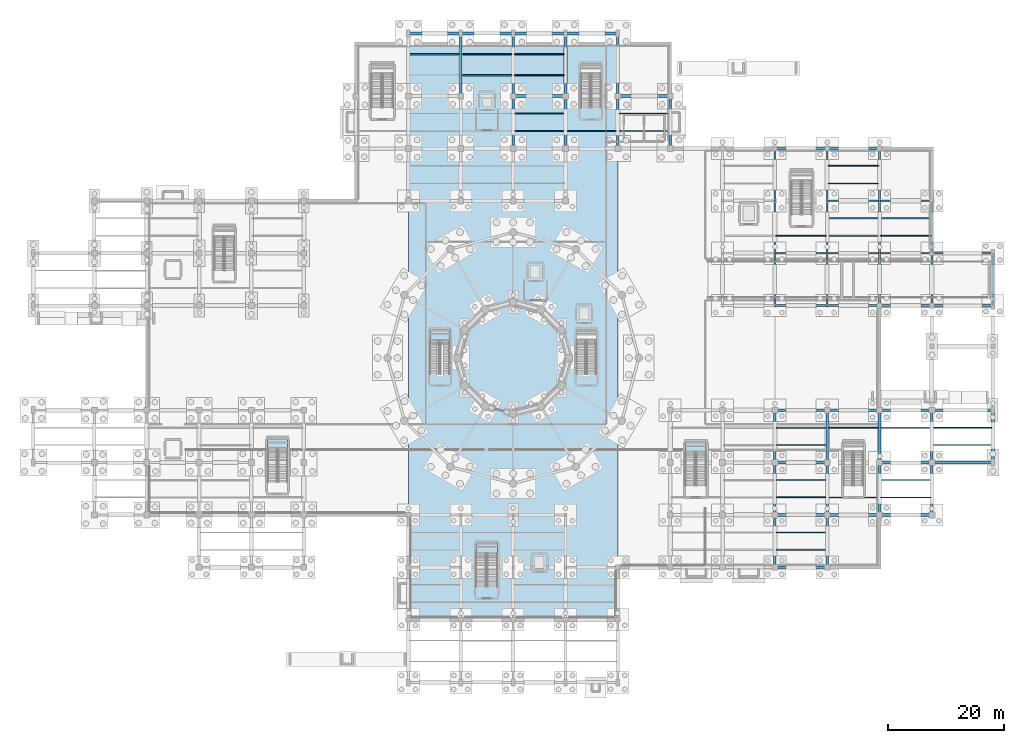
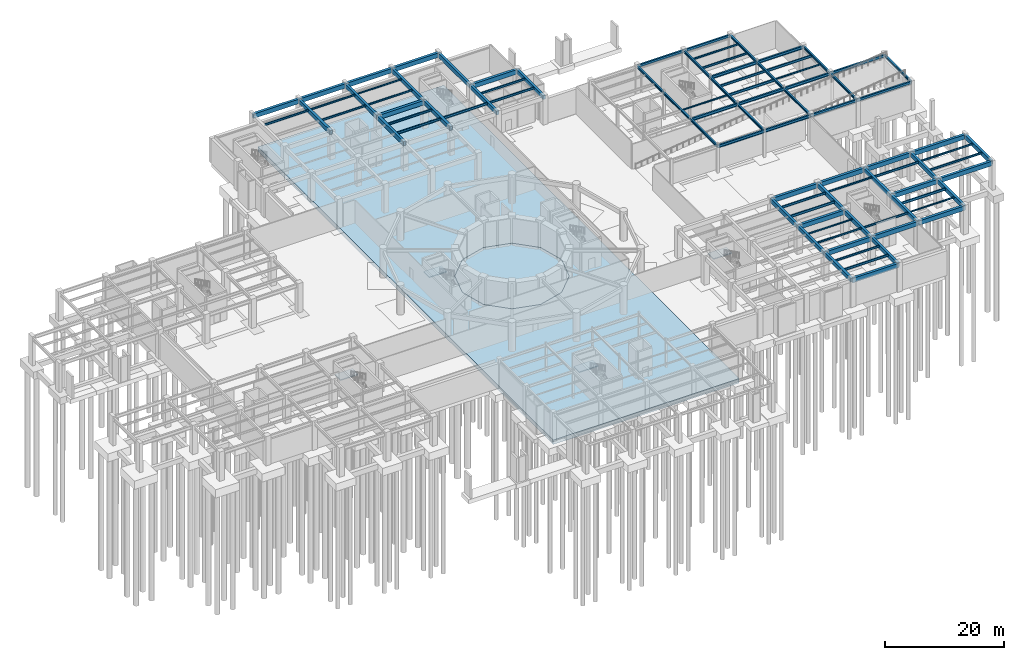
# One storey, part 15 of 36: 90 beams, 6 slabs, 4 elements without a shape of their own.
"""IFC4 building model written with IfcOpenShell, lengths in metres."""

from ifc_helpers import new_model, si_unit, direction, frame, origin, origin_2d, place, context, subcontext, project, spatial, polyline, rectangle, i_section, outline, extrude, material, layer, layer_set, material_profile, profile_set, type_object, element, aggregate, save


model = new_model("IFC4")

# Units and contexts
model_context = context("Model", 3, precision=1e-05, world=origin(), true_north=direction((0.0, 1.0)))
body_context = subcontext(model_context, "Body", "Model", "MODEL_VIEW")
ifc_project = project(units=[si_unit("LENGTHUNIT", "METRE"), si_unit("AREAUNIT", "SQUARE_METRE"), si_unit("VOLUMEUNIT", "CUBIC_METRE"), si_unit("PLANEANGLEUNIT", "RADIAN"), si_unit("MASSUNIT", "GRAM", prefix="KILO")], contexts=[model_context])

# Site, building, storey
site_placement = place(None, origin())
site = spatial("IfcSite", under=ifc_project, at=site_placement, CompositionType="ELEMENT")
building_placement = place(site_placement, origin())
building = spatial("IfcBuilding", under=site, at=building_placement, Name="Haizhuo Lancet Aquarium", CompositionType="ELEMENT")
storey_placement = place(building_placement, frame((0.0, 0.0, -6.0)))
storey = spatial("IfcBuildingStorey", under=building, at=storey_placement, Name="B1", CompositionType="ELEMENT", Elevation=-6.0)

# Beams
ifc_material_1 = material(Name="Concrete C40/50", Category="concrete")
ifc_material_profile_1 = material_profile(ifc_material_1, rectangle(XDim=0.449951171875, YDim=0.85009765625, at=origin_2d()), Name="RC-BM 450x850")
ifc_profile_set_1 = profile_set([ifc_material_profile_1], Name="Concrete C40/50")
beam_type_1 = type_object("IfcBeamType", Name="BM-RC-450x850", PredefinedType="BEAM", material=ifc_profile_set_1)
for number, where, z_axis, x_axis, name in (
    (1, (45.0, -36.0, 5.27490234375), (0.0, 1.0, 0.0), (-1.0, 0.0, 0.0), "B1 V3 primary girder BM-B1-V3-014"),
    (2, (45.0, -27.0, 5.27490234375), (0.0, 1.0, 0.0), (-1.0, 0.0, 0.0), "B1 V3 primary girder BM-B1-V3-016"),
    (3, (45.0, -18.0, 5.27490234375), (0.0, 1.0, 0.0), (-1.0, 0.0, 0.0), "B1 V3 primary girder BM-B1-V3-018"),
    (4, (54.0, -36.0, 5.27490234375), (0.0, 1.0, 0.0), (-1.0, 0.0, 0.0), "B1 V3 primary girder BM-B1-V3-021"),
    (5, (54.0, -27.0, 5.27490234375), (0.0, 1.0, 0.0), (-1.0, 0.0, 0.0), "B1 V3 primary girder BM-B1-V3-022"),
    (6, (54.0, -18.0, 5.27490234375), (0.0, 1.0, 0.0), (-1.0, 0.0, 0.0), "B1 V3 primary girder BM-B1-V3-024"),
    (7, (63.0, -27.0, 5.27490234375), (0.0, 1.0, 0.0), (-1.0, 0.0, 0.0), "B1 V3 primary girder BM-B1-V3-026"),
    (8, (63.0, -18.0, 5.27490234375), (0.0, 1.0, 0.0), (-1.0, 0.0, 0.0), "B1 V3 primary girder BM-B1-V3-028"),
    (9, (72.0, -27.0, 5.27490234375), (0.0, 1.0, 0.0), (-1.0, 0.0, 0.0), "B1 V3 primary girder BM-B1-V3-031"),
    (10, (72.0, -18.0, 5.27490234375), (0.0, 1.0, 0.0), (-1.0, 0.0, 0.0), "B1 V3 primary girder BM-B1-V3-032"),
    (11, (82.5, -18.0, 5.27490234375), (0.0, 1.0, 0.0), (-1.0, 0.0, 0.0), "B1 V3 primary girder BM-B1-V3-035"),
):
    element("IfcBeam", number, at=place(storey_placement, frame(where, z_axis=z_axis, x_axis=x_axis)), inside=storey, type_object=beam_type_1, Name=name, PredefinedType="BEAM", context=body_context, shape_type="SweptSolid", body=[
        extrude(rectangle(XDim=0.449951171875, YDim=0.85009765625, at=origin_2d()), origin(), (0.0, 0.0, 1.0), 9.0),
    ])
beam_1_placement = place(storey_placement, frame((-9.0, 45.0, 5.27490234375), z_axis=(0.0, 1.0, 0.0), x_axis=(-1.0, 0.0, 0.0)))
element("IfcBeam", 12, at=beam_1_placement, inside=storey, type_object=beam_type_1, Name="B1 V5 primary girder BM-B1-V5-014", PredefinedType="BEAM", context=body_context, shape_type="SweptSolid", body=[
    extrude(rectangle(XDim=0.449951171875, YDim=0.85009765625, at=origin_2d()), origin(), (0.0, 0.0, 1.0), 10.800048828125),
])
beam_2_placement = place(storey_placement, frame((0.0, 36.0, 5.27490234375), z_axis=(0.0, 1.0, 0.0), x_axis=(-1.0, 0.0, 0.0)))
element("IfcBeam", 13, at=beam_2_placement, inside=storey, type_object=beam_type_1, Name="B1 V5 primary girder BM-B1-V5-018", PredefinedType="BEAM", context=body_context, shape_type="SweptSolid", body=[
    extrude(rectangle(XDim=0.449951171875, YDim=0.85009765625, at=origin_2d()), origin(), (0.0, 0.0, 1.0), 9.0),
])
beam_3_placement = place(storey_placement, frame((0.0, 45.0, 5.27490234375), z_axis=(0.0, 1.0, 0.0), x_axis=(-1.0, 0.0, 0.0)))
element("IfcBeam", 14, at=beam_3_placement, inside=storey, type_object=beam_type_1, Name="B1 V5 primary girder BM-B1-V5-020", PredefinedType="BEAM", context=body_context, shape_type="SweptSolid", body=[
    extrude(rectangle(XDim=0.449951171875, YDim=0.85009765625, at=origin_2d()), origin(), (0.0, 0.0, 1.0), 10.800048828125),
])
beam_4_placement = place(storey_placement, frame((9.0, 36.0, 5.27490234375), z_axis=(0.0, 1.0, 0.0), x_axis=(-1.0, 0.0, 0.0)))
element("IfcBeam", 15, at=beam_4_placement, inside=storey, type_object=beam_type_1, Name="B1 V5 primary girder BM-B1-V5-024", PredefinedType="BEAM", context=body_context, shape_type="SweptSolid", body=[
    extrude(rectangle(XDim=0.449951171875, YDim=0.85009765625, at=origin_2d()), origin(), (0.0, 0.0, 1.0), 9.0),
])
beam_5_placement = place(storey_placement, frame((9.0, 45.0, 5.27490234375), z_axis=(0.0, 1.0, 0.0), x_axis=(-1.0, 0.0, 0.0)))
element("IfcBeam", 16, at=beam_5_placement, inside=storey, type_object=beam_type_1, Name="B1 V5 primary girder BM-B1-V5-026", PredefinedType="BEAM", context=body_context, shape_type="SweptSolid", body=[
    extrude(rectangle(XDim=0.449951171875, YDim=0.85009765625, at=origin_2d()), origin(), (0.0, 0.0, 1.0), 10.800048828125),
])
beam_6_placement = place(storey_placement, frame((18.0, 36.0, 5.27490234375), z_axis=(0.0, 1.0, 0.0), x_axis=(-1.0, 0.0, 0.0)))
element("IfcBeam", 17, at=beam_6_placement, inside=storey, type_object=beam_type_1, Name="B1 V5 primary girder BM-B1-V5-028", PredefinedType="BEAM", context=body_context, shape_type="SweptSolid", body=[
    extrude(rectangle(XDim=0.449951171875, YDim=0.85009765625, at=origin_2d()), origin(), (0.0, 0.0, 1.0), 9.0),
])
beam_7_placement = place(storey_placement, frame((18.0, 45.0, 5.27490234375), z_axis=(0.0, 1.0, 0.0), x_axis=(-1.0, 0.0, 0.0)))
element("IfcBeam", 18, at=beam_7_placement, inside=storey, type_object=beam_type_1, Name="B1 V5 primary girder BM-B1-V5-030", PredefinedType="BEAM", context=body_context, shape_type="SweptSolid", body=[
    extrude(rectangle(XDim=0.449951171875, YDim=0.85009765625, at=origin_2d()), origin(), (0.0, 0.0, 1.0), 10.800048828125),
])
beam_8_placement = place(storey_placement, frame((27.0, 36.0, 5.27490234375), z_axis=(0.0, 1.0, 0.0), x_axis=(-1.0, 0.0, 0.0)))
element("IfcBeam", 19, at=beam_8_placement, inside=storey, type_object=beam_type_1, Name="B1 V5 primary girder BM-B1-V5-032", PredefinedType="BEAM", context=body_context, shape_type="SweptSolid", body=[
    extrude(rectangle(XDim=0.449951171875, YDim=0.85009765625, at=origin_2d()), origin(), (0.0, 0.0, 1.0), 9.0),
])
ifc_material_profile_2 = material_profile(ifc_material_1, rectangle(XDim=0.5, YDim=0.89990234375, at=origin_2d()), Name="RC-BM 500x900")
ifc_profile_set_2 = profile_set([ifc_material_profile_2], Name="Concrete C40/50")
beam_type_2 = type_object("IfcBeamType", Name="BM-RC-500x900", PredefinedType="BEAM", material=ifc_profile_set_2)
for number, where, z_axis, x_axis, name in (
    (20, (45.0, -36.0, 5.25), (1.0, 0.0, 0.0), (0.0, 1.0, 0.0), "B1 V3 primary girder BM-B1-V3-015"),
    (21, (45.0, -27.0, 5.25), (1.0, 0.0, 0.0), (0.0, 1.0, 0.0), "B1 V3 primary girder BM-B1-V3-017"),
    (22, (45.0, -18.0, 5.25), (1.0, 0.0, 0.0), (0.0, 1.0, 0.0), "B1 V3 primary girder BM-B1-V3-019"),
    (23, (45.0, -9.0, 5.25), (1.0, 0.0, 0.0), (0.0, 1.0, 0.0), "B1 V3 primary girder BM-B1-V3-020"),
    (24, (54.0, -27.0, 5.25), (1.0, 0.0, 0.0), (0.0, 1.0, 0.0), "B1 V3 primary girder BM-B1-V3-023"),
    (25, (54.0, -9.0, 5.25), (1.0, 0.0, 0.0), (0.0, 1.0, 0.0), "B1 V3 primary girder BM-B1-V3-025"),
    (26, (63.0, -27.0, 5.25), (1.0, 0.0, 0.0), (0.0, 1.0, 0.0), "B1 V3 primary girder BM-B1-V3-027"),
    (27, (63.0, -18.0, 5.25), (1.0, 0.0, 0.0), (0.0, 1.0, 0.0), "B1 V3 primary girder BM-B1-V3-029"),
    (28, (63.0, -9.0, 5.25), (1.0, 0.0, 0.0), (0.0, 1.0, 0.0), "B1 V3 primary girder BM-B1-V3-030"),
):
    element("IfcBeam", number, at=place(storey_placement, frame(where, z_axis=z_axis, x_axis=x_axis)), inside=storey, type_object=beam_type_2, Name=name, PredefinedType="BEAM", context=body_context, shape_type="SweptSolid", body=[
        extrude(rectangle(XDim=0.5, YDim=0.89990234375, at=origin_2d()), origin(), (0.0, 0.0, 1.0), 9.0),
    ])
for number, where, z_axis, x_axis, name in (
    (29, (72.0, -18.0, 5.25), (1.0, 0.0, 0.0), (0.0, 1.0, 0.0), "B1 V3 primary girder BM-B1-V3-033"),
    (30, (72.0, -9.0, 5.25), (1.0, 0.0, 0.0), (0.0, 1.0, 0.0), "B1 V3 primary girder BM-B1-V3-034"),
):
    element("IfcBeam", number, at=place(storey_placement, frame(where, z_axis=z_axis, x_axis=x_axis)), inside=storey, type_object=beam_type_2, Name=name, PredefinedType="BEAM", context=body_context, shape_type="SweptSolid", body=[
        extrude(rectangle(XDim=0.5, YDim=0.89990234375, at=origin_2d()), origin(), (0.0, 0.0, 1.0), 10.5),
    ])
for number, where, z_axis, x_axis, name in (
    (31, (-18.0, 55.800048828125, 5.25), (1.0, 0.0, 0.0), (0.0, 1.0, 0.0), "B1 V5 primary girder BM-B1-V5-009"),
    (32, (-9.0, 55.800048828125, 5.25), (1.0, 0.0, 0.0), (0.0, 1.0, 0.0), "B1 V5 primary girder BM-B1-V5-015"),
    (33, (0.0, 45.0, 5.25), (1.0, 0.0, 0.0), (0.0, 1.0, 0.0), "B1 V5 primary girder BM-B1-V5-021"),
    (34, (0.0, 55.800048828125, 5.25), (1.0, 0.0, 0.0), (0.0, 1.0, 0.0), "B1 V5 primary girder BM-B1-V5-022"),
    (35, (9.0, 55.800048828125, 5.25), (1.0, 0.0, 0.0), (0.0, 1.0, 0.0), "B1 V5 primary girder BM-B1-V5-027"),
    (36, (18.0, 45.0, 5.25), (1.0, 0.0, 0.0), (0.0, 1.0, 0.0), "B1 V5 primary girder BM-B1-V5-031"),
):
    element("IfcBeam", number, at=place(storey_placement, frame(where, z_axis=z_axis, x_axis=x_axis)), inside=storey, type_object=beam_type_2, Name=name, PredefinedType="BEAM", context=body_context, shape_type="SweptSolid", body=[
        extrude(rectangle(XDim=0.5, YDim=0.89990234375, at=origin_2d()), origin(), (0.0, 0.0, 1.0), 9.0),
    ])
ifc_material_2 = material(Name="Steel S355", Category="steel")
ifc_material_profile_3 = material_profile(ifc_material_2, i_section(OverallWidth=0.300048828125, OverallDepth=0.488037109375, WebThickness=0.010986328125, FlangeThickness=0.01806640625, FilletRadius=0.02392578125, at=origin_2d()), Name="HM 488x300x11x18")
ifc_profile_set_3 = profile_set([ifc_material_profile_3], Name="Steel S355")
beam_type_3 = type_object("IfcBeamType", Name="BM-ST-HM488", PredefinedType="BEAM", material=ifc_profile_set_3)
for number, where, z_axis, x_axis, name in (
    (37, (45.0, 9.0, 5.35595703125), (0.0, 1.0, 0.0), (-1.0, 0.0, 0.0), "B1 V7 primary girder BM-B1-V7-008"),
    (38, (45.0, 18.0, 5.35595703125), (0.0, 1.0, 0.0), (-1.0, 0.0, 0.0), "B1 V7 primary girder BM-B1-V7-010"),
    (39, (45.0, 27.0, 5.35595703125), (0.0, 1.0, 0.0), (-1.0, 0.0, 0.0), "B1 V7 primary girder BM-B1-V7-012"),
    (40, (54.0, 9.0, 5.35595703125), (0.0, 1.0, 0.0), (-1.0, 0.0, 0.0), "B1 V7 primary girder BM-B1-V7-014"),
    (41, (54.0, 18.0, 5.35595703125), (0.0, 1.0, 0.0), (-1.0, 0.0, 0.0), "B1 V7 primary girder BM-B1-V7-016"),
    (42, (54.0, 27.0, 5.35595703125), (0.0, 1.0, 0.0), (-1.0, 0.0, 0.0), "B1 V7 primary girder BM-B1-V7-018"),
    (43, (63.0, 9.0, 5.35595703125), (0.0, 1.0, 0.0), (-1.0, 0.0, 0.0), "B1 V7 primary girder BM-B1-V7-021"),
    (44, (63.0, 18.0, 5.35595703125), (0.0, 1.0, 0.0), (-1.0, 0.0, 0.0), "B1 V7 primary girder BM-B1-V7-023"),
    (45, (63.0, 27.0, 5.35595703125), (0.0, 1.0, 0.0), (-1.0, 0.0, 0.0), "B1 V7 primary girder BM-B1-V7-025"),
    (46, (72.0, 9.0, 5.35595703125), (0.0, 1.0, 0.0), (-1.0, 0.0, 0.0), "B1 V7 primary girder BM-B1-V7-027"),
    (47, (72.0, 18.0, 5.35595703125), (0.0, 1.0, 0.0), (-1.0, 0.0, 0.0), "B1 V7 primary girder BM-B1-V7-029"),
    (48, (82.5, 9.0, 5.35595703125), (0.0, 1.0, 0.0), (-1.0, 0.0, 0.0), "B1 V7 primary girder BM-B1-V7-031"),
):
    element("IfcBeam", number, at=place(storey_placement, frame(where, z_axis=z_axis, x_axis=x_axis)), inside=storey, type_object=beam_type_3, Name=name, PredefinedType="BEAM", context=body_context, shape_type="SweptSolid", body=[
        extrude(i_section(OverallWidth=0.300048828125, OverallDepth=0.488037109375, WebThickness=0.010986328125, FlangeThickness=0.01806640625, FilletRadius=0.02392578125, at=origin_2d()), origin(), (0.0, 0.0, 1.0), 9.0),
    ])
ifc_material_profile_4 = material_profile(ifc_material_2, i_section(OverallWidth=0.300048828125, OverallDepth=0.587890625, WebThickness=0.011962890625, FlangeThickness=0.02001953125, FilletRadius=0.02587890625, at=origin_2d()), Name="HM 588x300x12x20")
ifc_profile_set_4 = profile_set([ifc_material_profile_4], Name="Steel S355")
beam_type_4 = type_object("IfcBeamType", Name="BM-ST-HM588", PredefinedType="BEAM", material=ifc_profile_set_4)
for number, where, z_axis, x_axis, name in (
    (49, (45.0, 9.0, 5.305908203125), (1.0, 0.0, 0.0), (0.0, 1.0, 0.0), "B1 V7 primary girder BM-B1-V7-009"),
    (50, (45.0, 18.0, 5.305908203125), (1.0, 0.0, 0.0), (0.0, 1.0, 0.0), "B1 V7 primary girder BM-B1-V7-011"),
    (51, (45.0, 36.0, 5.305908203125), (1.0, 0.0, 0.0), (0.0, 1.0, 0.0), "B1 V7 primary girder BM-B1-V7-013"),
    (52, (54.0, 9.0, 5.305908203125), (1.0, 0.0, 0.0), (0.0, 1.0, 0.0), "B1 V7 primary girder BM-B1-V7-015"),
    (53, (54.0, 18.0, 5.305908203125), (1.0, 0.0, 0.0), (0.0, 1.0, 0.0), "B1 V7 primary girder BM-B1-V7-017"),
    (54, (54.0, 27.0, 5.305908203125), (1.0, 0.0, 0.0), (0.0, 1.0, 0.0), "B1 V7 primary girder BM-B1-V7-019"),
    (55, (54.0, 36.0, 5.305908203125), (1.0, 0.0, 0.0), (0.0, 1.0, 0.0), "B1 V7 primary girder BM-B1-V7-020"),
    (56, (63.0, 9.0, 5.305908203125), (1.0, 0.0, 0.0), (0.0, 1.0, 0.0), "B1 V7 primary girder BM-B1-V7-022"),
    (57, (63.0, 18.0, 5.305908203125), (1.0, 0.0, 0.0), (0.0, 1.0, 0.0), "B1 V7 primary girder BM-B1-V7-024"),
    (58, (63.0, 27.0, 5.305908203125), (1.0, 0.0, 0.0), (0.0, 1.0, 0.0), "B1 V7 primary girder BM-B1-V7-026"),
):
    element("IfcBeam", number, at=place(storey_placement, frame(where, z_axis=z_axis, x_axis=x_axis)), inside=storey, type_object=beam_type_4, Name=name, PredefinedType="BEAM", context=body_context, shape_type="SweptSolid", body=[
        extrude(i_section(OverallWidth=0.300048828125, OverallDepth=0.587890625, WebThickness=0.011962890625, FlangeThickness=0.02001953125, FilletRadius=0.02587890625, at=origin_2d()), origin(), (0.0, 0.0, 1.0), 9.0),
    ])
for number, where, z_axis, x_axis, name in (
    (59, (72.0, 9.0, 5.305908203125), (1.0, 0.0, 0.0), (0.0, 1.0, 0.0), "B1 V7 primary girder BM-B1-V7-028"),
    (60, (72.0, 18.0, 5.305908203125), (1.0, 0.0, 0.0), (0.0, 1.0, 0.0), "B1 V7 primary girder BM-B1-V7-030"),
):
    element("IfcBeam", number, at=place(storey_placement, frame(where, z_axis=z_axis, x_axis=x_axis)), inside=storey, type_object=beam_type_4, Name=name, PredefinedType="BEAM", context=body_context, shape_type="SweptSolid", body=[
        extrude(i_section(OverallWidth=0.300048828125, OverallDepth=0.587890625, WebThickness=0.011962890625, FlangeThickness=0.02001953125, FilletRadius=0.02587890625, at=origin_2d()), origin(), (0.0, 0.0, 1.0), 10.5),
    ])
ifc_material_profile_5 = material_profile(ifc_material_2, i_section(OverallWidth=0.14990234375, OverallDepth=0.300048828125, WebThickness=0.006591796875, FlangeThickness=0.009033203125, FilletRadius=0.012939453125, at=origin_2d()), Name="HN 300x150x6.5x9")
ifc_profile_set_5 = profile_set([ifc_material_profile_5], Name="Steel S355")
beam_type_5 = type_object("IfcBeamType", Name="JST-ST-HN300", PredefinedType="JOIST", material=ifc_profile_set_5)
for number, where, z_axis, x_axis, name in (
    (61, (45.22509765625, -21.0, 5.550048828125), (1.0, 0.0, 0.0), (0.0, 1.0, 0.0), "B1 V3 secondary floor joist 14"),
    (62, (63.22509765625, -24.0, 5.550048828125), (1.0, 0.0, 0.0), (0.0, 1.0, 0.0), "B1 V3 secondary floor joist 19"),
    (63, (0.22509765625, 52.199951171875, 5.550048828125), (1.0, 0.0, 0.0), (0.0, 1.0, 0.0), "B1 V5 secondary floor joist 19"),
):
    element("IfcBeam", number, at=place(storey_placement, frame(where, z_axis=z_axis, x_axis=x_axis)), inside=storey, type_object=beam_type_5, Name=name, PredefinedType="JOIST", context=body_context, shape_type="SweptSolid", body=[
        extrude(i_section(OverallWidth=0.14990234375, OverallDepth=0.300048828125, WebThickness=0.006591796875, FlangeThickness=0.009033203125, FilletRadius=0.012939453125, at=origin_2d()), origin(), (0.0, 0.0, 1.0), 8.5498046875),
    ])
for number, where, z_axis, x_axis, name in (
    (64, (45.14990234375, 21.0, 5.449951171875), (1.0, 0.0, 0.0), (0.0, 1.0, 0.0), "B1 V7 secondary floor joist 4"),
    (65, (63.14990234375, 21.0, 5.449951171875), (1.0, 0.0, 0.0), (0.0, 1.0, 0.0), "B1 V7 secondary floor joist 9"),
):
    element("IfcBeam", number, at=place(storey_placement, frame(where, z_axis=z_axis, x_axis=x_axis)), inside=storey, type_object=beam_type_5, Name=name, PredefinedType="JOIST", context=body_context, shape_type="SweptSolid", body=[
        extrude(i_section(OverallWidth=0.14990234375, OverallDepth=0.300048828125, WebThickness=0.006591796875, FlangeThickness=0.009033203125, FilletRadius=0.012939453125, at=origin_2d()), origin(), (0.0, 0.0, 1.0), 8.7001953125),
    ])
ifc_material_profile_6 = material_profile(ifc_material_2, i_section(OverallWidth=0.175048828125, OverallDepth=0.35009765625, WebThickness=0.007080078125, FlangeThickness=0.010986328125, FilletRadius=0.013916015625, at=origin_2d()), Name="HN 350x175x7x11")
ifc_profile_set_6 = profile_set([ifc_material_profile_6], Name="Steel S355")
beam_type_6 = type_object("IfcBeamType", Name="JST-ST-HN350", PredefinedType="JOIST", material=ifc_profile_set_6)
for number, where, z_axis, x_axis, name in (
    (66, (45.22509765625, -24.0, 5.52490234375), (1.0, 0.0, 0.0), (0.0, 1.0, 0.0), "B1 V3 secondary floor joist 13"),
    (67, (54.22509765625, -12.0, 5.52490234375), (1.0, 0.0, 0.0), (0.0, 1.0, 0.0), "B1 V3 secondary floor joist 18"),
):
    element("IfcBeam", number, at=place(storey_placement, frame(where, z_axis=z_axis, x_axis=x_axis)), inside=storey, type_object=beam_type_6, Name=name, PredefinedType="JOIST", context=body_context, shape_type="SweptSolid", body=[
        extrude(i_section(OverallWidth=0.175048828125, OverallDepth=0.35009765625, WebThickness=0.007080078125, FlangeThickness=0.010986328125, FilletRadius=0.013916015625, at=origin_2d()), origin(), (0.0, 0.0, 1.0), 8.5498046875),
    ])
beam_9_placement = place(storey_placement, frame((72.22509765625, -12.0, 5.52490234375), z_axis=(1.0, 0.0, 0.0), x_axis=(0.0, 1.0, 0.0)))
element("IfcBeam", 68, at=beam_9_placement, inside=storey, type_object=beam_type_6, Name="B1 V3 secondary floor joist 23", PredefinedType="JOIST", context=body_context, shape_type="SweptSolid", body=[
    extrude(i_section(OverallWidth=0.175048828125, OverallDepth=0.35009765625, WebThickness=0.007080078125, FlangeThickness=0.010986328125, FilletRadius=0.013916015625, at=origin_2d()), origin(), (0.0, 0.0, 1.0), 10.0498046875),
])
for number, where, z_axis, x_axis, name in (
    (69, (-8.77490234375, 52.199951171875, 5.52490234375), (1.0, 0.0, 0.0), (0.0, 1.0, 0.0), "B1 V5 secondary floor joist 13"),
    (70, (0.22509765625, 48.60009765625, 5.52490234375), (1.0, 0.0, 0.0), (0.0, 1.0, 0.0), "B1 V5 secondary floor joist 18"),
):
    element("IfcBeam", number, at=place(storey_placement, frame(where, z_axis=z_axis, x_axis=x_axis)), inside=storey, type_object=beam_type_6, Name=name, PredefinedType="JOIST", context=body_context, shape_type="SweptSolid", body=[
        extrude(i_section(OverallWidth=0.175048828125, OverallDepth=0.35009765625, WebThickness=0.007080078125, FlangeThickness=0.010986328125, FilletRadius=0.013916015625, at=origin_2d()), origin(), (0.0, 0.0, 1.0), 8.5498046875),
    ])
beam_10_placement = place(storey_placement, frame((54.14990234375, 33.0, 5.425048828125), z_axis=(1.0, 0.0, 0.0), x_axis=(0.0, 1.0, 0.0)))
element("IfcBeam", 71, at=beam_10_placement, inside=storey, type_object=beam_type_6, Name="B1 V7 secondary floor joist 8", PredefinedType="JOIST", context=body_context, shape_type="SweptSolid", body=[
    extrude(i_section(OverallWidth=0.175048828125, OverallDepth=0.35009765625, WebThickness=0.007080078125, FlangeThickness=0.010986328125, FilletRadius=0.013916015625, at=origin_2d()), origin(), (0.0, 0.0, 1.0), 8.7001953125),
])
ifc_material_profile_7 = material_profile(ifc_material_2, i_section(OverallWidth=0.199951171875, OverallDepth=0.39990234375, WebThickness=0.008056640625, FlangeThickness=0.012939453125, FilletRadius=0.01611328125, at=origin_2d()), Name="HN 400x200x8x13")
ifc_profile_set_7 = profile_set([ifc_material_profile_7], Name="Steel S355")
beam_type_7 = type_object("IfcBeamType", Name="JST-ST-HN400", PredefinedType="JOIST", material=ifc_profile_set_7)
for number, where, z_axis, x_axis, name in (
    (72, (45.22509765625, -30.0, 5.5), (1.0, 0.0, 0.0), (0.0, 1.0, 0.0), "B1 V3 secondary floor joist 12"),
    (73, (54.22509765625, -24.0, 5.5), (1.0, 0.0, 0.0), (0.0, 1.0, 0.0), "B1 V3 secondary floor joist 17"),
):
    element("IfcBeam", number, at=place(storey_placement, frame(where, z_axis=z_axis, x_axis=x_axis)), inside=storey, type_object=beam_type_7, Name=name, PredefinedType="JOIST", context=body_context, shape_type="SweptSolid", body=[
        extrude(i_section(OverallWidth=0.199951171875, OverallDepth=0.39990234375, WebThickness=0.008056640625, FlangeThickness=0.012939453125, FilletRadius=0.01611328125, at=origin_2d()), origin(), (0.0, 0.0, 1.0), 8.5498046875),
    ])
beam_11_placement = place(storey_placement, frame((72.22509765625, -15.0, 5.5), z_axis=(1.0, 0.0, 0.0), x_axis=(0.0, 1.0, 0.0)))
element("IfcBeam", 74, at=beam_11_placement, inside=storey, type_object=beam_type_7, Name="B1 V3 secondary floor joist 22", PredefinedType="JOIST", context=body_context, shape_type="SweptSolid", body=[
    extrude(i_section(OverallWidth=0.199951171875, OverallDepth=0.39990234375, WebThickness=0.008056640625, FlangeThickness=0.012939453125, FilletRadius=0.01611328125, at=origin_2d()), origin(), (0.0, 0.0, 1.0), 10.0498046875),
])
for number, where, z_axis, x_axis, name in (
    (75, (-17.77490234375, 52.199951171875, 5.5), (1.0, 0.0, 0.0), (0.0, 1.0, 0.0), "B1 V5 secondary floor joist 7"),
    (76, (-8.77490234375, 48.60009765625, 5.5), (1.0, 0.0, 0.0), (0.0, 1.0, 0.0), "B1 V5 secondary floor joist 12"),
    (77, (0.22509765625, 42.0, 5.5), (1.0, 0.0, 0.0), (0.0, 1.0, 0.0), "B1 V5 secondary floor joist 17"),
    (78, (18.22509765625, 42.0, 5.5), (1.0, 0.0, 0.0), (0.0, 1.0, 0.0), "B1 V5 secondary floor joist 22"),
):
    element("IfcBeam", number, at=place(storey_placement, frame(where, z_axis=z_axis, x_axis=x_axis)), inside=storey, type_object=beam_type_7, Name=name, PredefinedType="JOIST", context=body_context, shape_type="SweptSolid", body=[
        extrude(i_section(OverallWidth=0.199951171875, OverallDepth=0.39990234375, WebThickness=0.008056640625, FlangeThickness=0.012939453125, FilletRadius=0.01611328125, at=origin_2d()), origin(), (0.0, 0.0, 1.0), 8.5498046875),
    ])
beam_12_placement = place(storey_placement, frame((54.14990234375, 30.0, 5.39990234375), z_axis=(1.0, 0.0, 0.0), x_axis=(0.0, 1.0, 0.0)))
element("IfcBeam", 79, at=beam_12_placement, inside=storey, type_object=beam_type_7, Name="B1 V7 secondary floor joist 7", PredefinedType="JOIST", context=body_context, shape_type="SweptSolid", body=[
    extrude(i_section(OverallWidth=0.199951171875, OverallDepth=0.39990234375, WebThickness=0.008056640625, FlangeThickness=0.012939453125, FilletRadius=0.01611328125, at=origin_2d()), origin(), (0.0, 0.0, 1.0), 8.7001953125),
])
ifc_material_profile_8 = material_profile(ifc_material_2, i_section(OverallWidth=0.199951171875, OverallDepth=0.449951171875, WebThickness=0.009033203125, FlangeThickness=0.013916015625, FilletRadius=0.01806640625, at=origin_2d()), Name="HN 450x200x9x14")
ifc_profile_set_8 = profile_set([ifc_material_profile_8], Name="Steel S355")
beam_type_8 = type_object("IfcBeamType", Name="JST-ST-HN450", PredefinedType="JOIST", material=ifc_profile_set_8)
for number, where, z_axis, x_axis, name in (
    (80, (45.22509765625, -33.0, 5.47509765625), (1.0, 0.0, 0.0), (0.0, 1.0, 0.0), "B1 V3 secondary floor joist 11"),
    (81, (45.22509765625, -12.0, 5.47509765625), (1.0, 0.0, 0.0), (0.0, 1.0, 0.0), "B1 V3 secondary floor joist 16"),
    (82, (63.22509765625, -12.0, 5.47509765625), (1.0, 0.0, 0.0), (0.0, 1.0, 0.0), "B1 V3 secondary floor joist 21"),
    (83, (0.22509765625, 39.0, 5.47509765625), (1.0, 0.0, 0.0), (0.0, 1.0, 0.0), "B1 V5 secondary floor joist 16"),
    (84, (18.22509765625, 39.0, 5.47509765625), (1.0, 0.0, 0.0), (0.0, 1.0, 0.0), "B1 V5 secondary floor joist 21"),
):
    element("IfcBeam", number, at=place(storey_placement, frame(where, z_axis=z_axis, x_axis=x_axis)), inside=storey, type_object=beam_type_8, Name=name, PredefinedType="JOIST", context=body_context, shape_type="SweptSolid", body=[
        extrude(i_section(OverallWidth=0.199951171875, OverallDepth=0.449951171875, WebThickness=0.009033203125, FlangeThickness=0.013916015625, FilletRadius=0.01806640625, at=origin_2d()), origin(), (0.0, 0.0, 1.0), 8.5498046875),
    ])
beam_13_placement = place(storey_placement, frame((54.14990234375, 24.0, 5.375), z_axis=(1.0, 0.0, 0.0), x_axis=(0.0, 1.0, 0.0)))
element("IfcBeam", 85, at=beam_13_placement, inside=storey, type_object=beam_type_8, Name="B1 V7 secondary floor joist 6", PredefinedType="JOIST", context=body_context, shape_type="SweptSolid", body=[
    extrude(i_section(OverallWidth=0.199951171875, OverallDepth=0.449951171875, WebThickness=0.009033203125, FlangeThickness=0.013916015625, FilletRadius=0.01806640625, at=origin_2d()), origin(), (0.0, 0.0, 1.0), 8.7001953125),
])
ifc_material_profile_9 = material_profile(ifc_material_2, i_section(OverallWidth=0.199951171875, OverallDepth=0.5, WebThickness=0.010009765625, FlangeThickness=0.01611328125, FilletRadius=0.02001953125, at=origin_2d()), Name="HN 500x200x10x16")
ifc_profile_set_9 = profile_set([ifc_material_profile_9], Name="Steel S355")
beam_type_9 = type_object("IfcBeamType", Name="JST-ST-HN500", PredefinedType="JOIST", material=ifc_profile_set_9)
for number, where, z_axis, x_axis, name in (
    (86, (45.22509765625, -15.0, 5.449951171875), (1.0, 0.0, 0.0), (0.0, 1.0, 0.0), "B1 V3 secondary floor joist 15"),
    (87, (63.22509765625, -21.0, 5.449951171875), (1.0, 0.0, 0.0), (0.0, 1.0, 0.0), "B1 V3 secondary floor joist 20"),
    (88, (9.22509765625, 39.0, 5.449951171875), (1.0, 0.0, 0.0), (0.0, 1.0, 0.0), "B1 V5 secondary floor joist 20"),
):
    element("IfcBeam", number, at=place(storey_placement, frame(where, z_axis=z_axis, x_axis=x_axis)), inside=storey, type_object=beam_type_9, Name=name, PredefinedType="JOIST", context=body_context, shape_type="SweptSolid", body=[
        extrude(i_section(OverallWidth=0.199951171875, OverallDepth=0.5, WebThickness=0.010009765625, FlangeThickness=0.01611328125, FilletRadius=0.02001953125, at=origin_2d()), origin(), (0.0, 0.0, 1.0), 8.5498046875),
    ])
for number, where, z_axis, x_axis, name in (
    (89, (54.14990234375, 21.0, 5.35009765625), (1.0, 0.0, 0.0), (0.0, 1.0, 0.0), "B1 V7 secondary floor joist 5"),
    (90, (63.14990234375, 24.0, 5.35009765625), (1.0, 0.0, 0.0), (0.0, 1.0, 0.0), "B1 V7 secondary floor joist 10"),
):
    element("IfcBeam", number, at=place(storey_placement, frame(where, z_axis=z_axis, x_axis=x_axis)), inside=storey, type_object=beam_type_9, Name=name, PredefinedType="JOIST", context=body_context, shape_type="SweptSolid", body=[
        extrude(i_section(OverallWidth=0.199951171875, OverallDepth=0.5, WebThickness=0.010009765625, FlangeThickness=0.01611328125, FilletRadius=0.02001953125, at=origin_2d()), origin(), (0.0, 0.0, 1.0), 8.7001953125),
    ])

# Slab
ifc_material_3 = material(Name="Concrete C45/55", Category="concrete")
ifc_layer_1 = layer(ifc_material_3, 0.89990234375)
ifc_layer_set_1 = layer_set([ifc_layer_1], Name="Concrete C45/55")
slab_type_1 = type_object("IfcSlabType", Name="SLB-BASE-900", PredefinedType="BASESLAB", material=ifc_layer_set_1)
slab_1_placement = place(storey_placement, frame((0.0, 0.0, -0.89990234375)))
element("IfcSlab", 91, at=slab_1_placement, inside=storey, type_object=slab_type_1, Name="B1 structural slab SL-B1-BASE-02", PredefinedType="BASESLAB", context=body_context, shape_type="SweptSolid", body=[
    extrude(outline(polyline([(-18.0, 54.0), (-18.0, -45.0), (18.0, -45.0), (18.0, 54.0), (-18.0, 54.0)]), holes=[polyline([(4.800048828125, 8.31396484375), (0.0, 9.60009765625), (-4.800048828125, 8.31396484375), (-8.31396484375, 4.800048828125), (-9.60009765625, 0.0), (-8.31396484375, -4.800048828125), (-4.800048828125, -8.31396484375), (0.0, -9.60009765625), (4.800048828125, -8.31396484375), (8.31396484375, -4.800048828125), (9.60009765625, 0.0), (8.31396484375, 4.800048828125), (4.800048828125, 8.31396484375)])]), origin(), (0.0, 0.0, 1.0), 0.89990234375),
])

# Stair, slab
stair_type_1 = type_object("IfcStairType", Name="STR-HT-1600-60", PredefinedType="HALF_TURN_STAIR", material=ifc_material_1)
stair_1_placement = place(storey_placement, origin())
stair_1 = element("IfcStair", 92, at=stair_1_placement, inside=storey, type_object=stair_type_1, Name="B1 enclosed exit stair ST-01", PredefinedType="HALF_TURN_STAIR")
ifc_layer_2 = layer(ifc_material_1, 0.199951171875)
ifc_layer_set_2 = layer_set([ifc_layer_2], Name="Concrete C40/50")
slab_type_2 = type_object("IfcSlabType", Name="SLB-LND-1600", PredefinedType="LANDING", material=ifc_layer_set_2)
slab_2_placement = place(storey_placement, frame((0.0, 0.0, 2.800048828125)))
slab_2 = element("IfcSlab", 93, at=slab_2_placement, type_object=slab_type_2, Name="ST-16 landing 1", PredefinedType="LANDING", context=body_context, shape_type="SweptSolid", body=[
    extrude(outline(polyline([(-10.89990234375, 2.949951171875), (-10.89990234375, 4.85009765625), (-14.300048828125, 4.85009765625), (-14.300048828125, 2.949951171875), (-10.89990234375, 2.949951171875)])), origin(), (0.0, 0.0, 1.0), 0.199951171875),
])
aggregate(stair_1, [slab_2])

stair_2_placement = place(storey_placement, origin())
stair_2 = element("IfcStair", 94, at=stair_2_placement, inside=storey, type_object=stair_type_1, Name="B1 enclosed exit stair ST-09", PredefinedType="HALF_TURN_STAIR")
slab_3_placement = place(storey_placement, frame((0.0, 0.0, 2.800048828125)))
slab_3 = element("IfcSlab", 95, at=slab_3_placement, type_object=slab_type_2, Name="ST-16 landing 1", PredefinedType="LANDING", context=body_context, shape_type="SweptSolid", body=[
    extrude(outline(polyline([(-38.800048828125, -15.64990234375), (-38.800048828125, -13.75), (-42.199951171875, -13.75), (-42.199951171875, -15.64990234375), (-38.800048828125, -15.64990234375)])), origin(), (0.0, 0.0, 1.0), 0.199951171875),
])
aggregate(stair_2, [slab_3])

stair_type_2 = type_object("IfcStairType", Name="STR-HT-1700-60", PredefinedType="HALF_TURN_STAIR", material=ifc_material_1)
stair_3_placement = place(storey_placement, origin())
stair_3 = element("IfcStair", 96, at=stair_3_placement, inside=storey, type_object=stair_type_2, Name="B1 enclosed exit stair ST-04", PredefinedType="HALF_TURN_STAIR")
ifc_layer_3 = layer(ifc_material_1, 0.199951171875)
ifc_layer_set_3 = layer_set([ifc_layer_3], Name="Concrete C40/50")
slab_type_3 = type_object("IfcSlabType", Name="SLB-LND-1700", PredefinedType="LANDING", material=ifc_layer_set_3)
slab_4_placement = place(storey_placement, frame((0.0, 0.0, 2.800048828125)))
slab_4 = element("IfcSlab", 97, at=slab_4_placement, type_object=slab_type_3, Name="ST-36 landing 1", PredefinedType="LANDING", context=body_context, shape_type="SweptSolid", body=[
    extrude(outline(polyline([(33.199951171875, -16.25), (33.199951171875, -14.35009765625), (29.60009765625, -14.35009765625), (29.60009765625, -16.25), (33.199951171875, -16.25)])), origin(), (0.0, 0.0, 1.0), 0.199951171875),
])
aggregate(stair_3, [slab_4])

stair_type_3 = type_object("IfcStairType", Name="STR-HT-1750-60", PredefinedType="HALF_TURN_STAIR", material=ifc_material_1)
stair_4_placement = place(storey_placement, origin())
stair_4 = element("IfcStair", 98, at=stair_4_placement, inside=storey, type_object=stair_type_3, Name="B1 enclosed exit stair ST-06", PredefinedType="HALF_TURN_STAIR")
ifc_layer_4 = layer(ifc_material_1, 0.199951171875)
ifc_layer_set_4 = layer_set([ifc_layer_4], Name="Concrete C40/50")
slab_type_4 = type_object("IfcSlabType", Name="SLB-LND-1750", PredefinedType="LANDING", material=ifc_layer_set_4)
slab_5_placement = place(storey_placement, frame((0.0, 0.0, 2.800048828125)))
slab_5 = element("IfcSlab", 99, at=slab_5_placement, type_object=slab_type_4, Name="ST-46 landing 1", PredefinedType="LANDING", context=body_context, shape_type="SweptSolid", body=[
    extrude(outline(polyline([(-2.699951171875, -33.64990234375), (-2.699951171875, -31.75), (-6.39990234375, -31.75), (-6.39990234375, -33.64990234375), (-2.699951171875, -33.64990234375)])), origin(), (0.0, 0.0, 1.0), 0.199951171875),
])
aggregate(stair_4, [slab_5])

# Slab
ifc_layer_5 = layer(ifc_material_3, 1.199951171875)
ifc_layer_set_5 = layer_set([ifc_layer_5], Name="Concrete C45/55")
slab_type_5 = type_object("IfcSlabType", Name="SLB-TANK-1200", PredefinedType="USERDEFINED", material=ifc_layer_set_5)
slab_6_placement = place(storey_placement, frame((0.0, 0.0, -1.199951171875)))
element("IfcSlab", 100, at=slab_6_placement, inside=storey, type_object=slab_type_5, Name="B1 structural slab SL-B1-TANK-01", ObjectType="TANK BASE", PredefinedType="USERDEFINED", context=body_context, shape_type="SweptSolid", body=[
    extrude(outline(polyline([(9.60009765625, 0.0), (8.31396484375, 4.800048828125), (4.800048828125, 8.31396484375), (0.0, 9.60009765625), (-4.800048828125, 8.31396484375), (-8.31396484375, 4.800048828125), (-9.60009765625, 0.0), (-8.31396484375, -4.800048828125), (-4.800048828125, -8.31396484375), (0.0, -9.60009765625), (4.800048828125, -8.31396484375), (8.31396484375, -4.800048828125), (9.60009765625, 0.0)])), origin(), (0.0, 0.0, 1.0), 1.199951171875),
])

save(model, "model.ifc")
